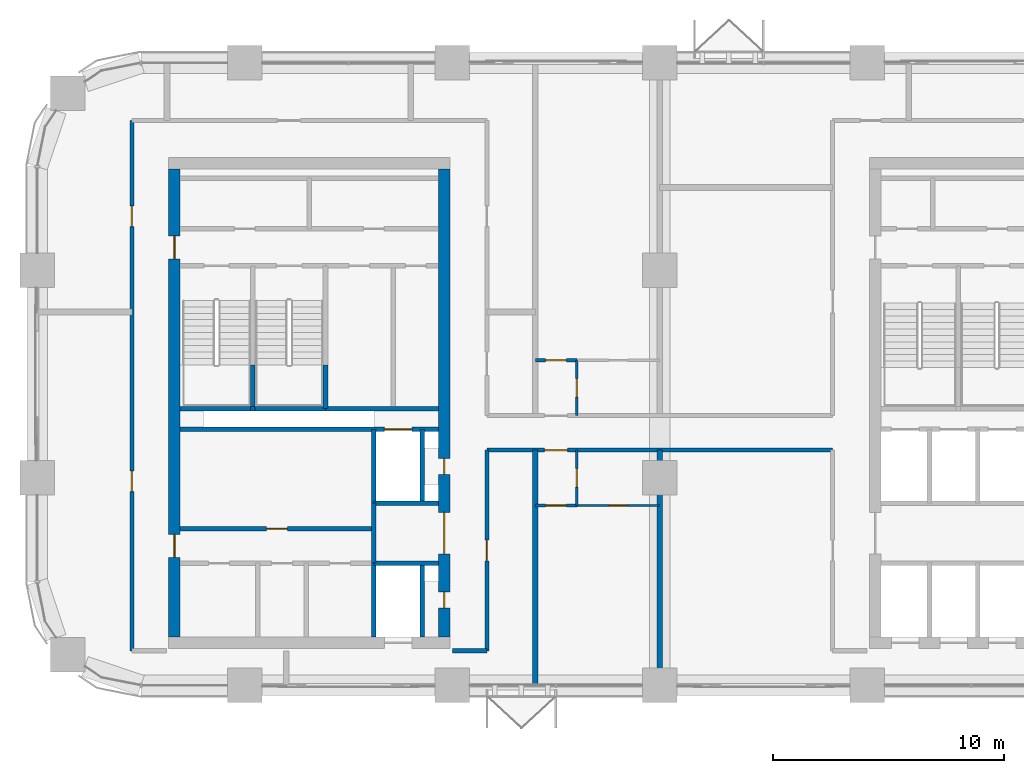
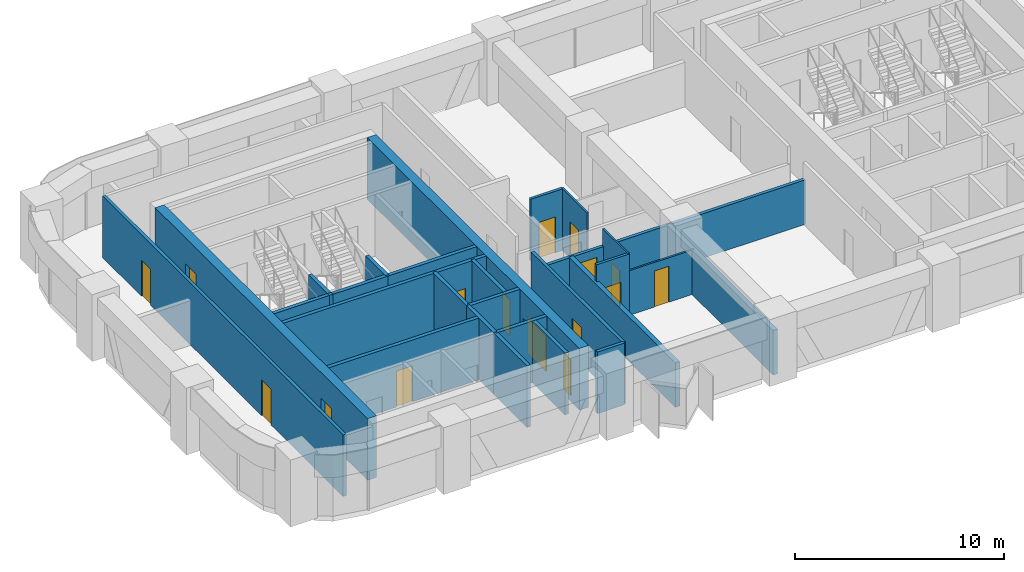
# One storey, part 8 of 13: 28 walls, 16 doors, 16 openings.
"""IFC4 building model written with IfcOpenShell, lengths in metres."""

from ifc_helpers import new_model, si_unit, direction, frame, frame_2d, origin, place, context, subcontext, project, spatial, rectangle, extrude, material, layer, layer_set, type_object, element, fill, save


model = new_model("IFC4")

# Units and contexts
model_context = context("Model", 3, precision=1e-05, world=origin(), true_north=direction((0.0, 1.0)))
body_context = subcontext(model_context, "Body", "Model", "MODEL_VIEW")
ifc_project = project(units=[si_unit("LENGTHUNIT", "METRE"), si_unit("AREAUNIT", "SQUARE_METRE"), si_unit("VOLUMEUNIT", "CUBIC_METRE"), si_unit("PLANEANGLEUNIT", "RADIAN"), si_unit("MASSUNIT", "GRAM", prefix="KILO")], contexts=[model_context])

# Site, building, storey
site_placement = place(None, origin())
site = spatial("IfcSite", under=ifc_project, at=site_placement, CompositionType="ELEMENT")
building_placement = place(site_placement, origin())
building = spatial("IfcBuilding", under=site, at=building_placement, Name="Tessera Arch", CompositionType="ELEMENT")
storey_placement = place(building_placement, frame((0.0, 0.0, 162.199951171875)))
storey = spatial("IfcBuildingStorey", under=building, at=storey_placement, Name="L38", CompositionType="ELEMENT", Elevation=162.199951171875)

# Wall
ifc_material_1 = material(Name="Gypsum board on steel stud", Category="steel")
ifc_layer_1 = layer(ifc_material_1, 0.125)
ifc_layer_set_1 = layer_set([ifc_layer_1], Name="Core partition 125 EI 60")
wall_type_1 = type_object("IfcWallType", Name="Core partition 125 EI 60", PredefinedType="PARTITIONING", material=ifc_layer_set_1)
wall_1_placement = place(storey_placement, frame((14.60009765625, 32.300048828125, 0.0), z_axis=(0.0, 0.0, 1.0), x_axis=(0.0, 1.0, 0.0)))
element("IfcWall", 1, at=wall_1_placement, inside=storey, type_object=wall_type_1, Name="L38 C2 partition wall 8", PredefinedType="PARTITIONING", context=body_context, shape_type="SweptSolid", body=[
    extrude(rectangle(XDim=2.599853515625, YDim=0.199951171875, at=frame_2d((1.2998046875, 0.0))), origin(), (0.0, 0.0, 1.0), 3.60009765625),
])

# Wall, opening, door
wall_2_placement = place(storey_placement, frame((6.199951171875, 33.800048828125, 0.0), z_axis=(0.0, 0.0, 1.0), x_axis=(1.0, 0.0, 0.0)))
wall_2 = element("IfcWall", 2, at=wall_2_placement, inside=storey, type_object=wall_type_1, Name="L38 C2 partition wall 16", PredefinedType="PARTITIONING", context=body_context, shape_type="SweptSolid", body=[
    extrude(rectangle(XDim=8.400146484375, YDim=0.199951171875, at=frame_2d((4.2001953125, 0.0))), origin(), (0.0, 0.0, 1.0), 3.60009765625),
])
opening_1_placement = place(wall_2_placement, frame((3.75, 0.0, 0.0)))
opening_1 = element("IfcOpeningElement", 3, at=opening_1_placement, cuts=wall_2, Name="Opening L38-C37", PredefinedType="OPENING", context=body_context, shape_type="SweptSolid", body=[
    extrude(rectangle(XDim=0.89990234375, YDim=2.10009765625, at=frame_2d((0.449951171875, 1.050048828125))), frame((0.0, 0.10986328125, 0.0), z_axis=(0.0, -1.0, 0.0), x_axis=(1.0, 0.0, 0.0)), (0.0, 0.0, 1.0), 0.219970703125),
])
ifc_material_2 = material(Name="Steel door leaf", Category="steel")
door_type_1 = type_object("IfcDoorType", Name="Store door FD30S 900 x 2100", OperationType="SINGLE_SWING_LEFT", PredefinedType="DOOR", material=ifc_material_2)
door_1_placement = place(opening_1_placement, origin())
door_1 = element("IfcDoor", 4, at=door_1_placement, inside=storey, type_object=door_type_1, Name="L38 C2 door 17 C37 type D09", OperationType="SINGLE_SWING_RIGHT", OverallHeight=2.10009765625, OverallWidth=0.89990234375, PredefinedType="DOOR", context=body_context, shape_type="SweptSolid", body=[
    extrude(rectangle(XDim=0.89990234375, YDim=2.10009765625, at=frame_2d((0.449951171875, 1.050048828125))), frame((0.0, 0.02490234375, 0.0), z_axis=(0.0, -1.0, 0.0), x_axis=(1.0, 0.0, 0.0)), (0.0, 0.0, 1.0), 0.050048828125),
])
fill(opening_1, door_1)

# Wall, openings, doors
ifc_material_3 = material(Name="Concrete C60/75", Category="concrete")
ifc_layer_2 = layer(ifc_material_3, 0.5)
ifc_layer_set_2 = layer_set([ifc_layer_2], Name="Core shell wall 500 C60-75")
wall_type_2 = type_object("IfcWallType", Name="Core shell wall 500 C60-75", PredefinedType="SHEAR", material=ifc_layer_set_2)
wall_3_placement = place(storey_placement, frame((5.949951171875, 29.10009765625, 0.0), z_axis=(0.0, 0.0, 1.0), x_axis=(0.0, 1.0, 0.0)))
wall_3 = element("IfcWall", 5, at=wall_3_placement, inside=storey, type_object=wall_type_2, Name="L38 C2 core wall W", PredefinedType="SHEAR", context=body_context, shape_type="SweptSolid", body=[
    extrude(rectangle(XDim=20.2998046875, YDim=0.5, at=frame_2d((10.14990234375, 0.0))), origin(), (0.0, 0.0, 1.0), 3.60009765625),
])
opening_2_placement = place(wall_3_placement, frame((3.449951171875, 0.0, 0.0)))
opening_2 = element("IfcOpeningElement", 6, at=opening_2_placement, cuts=wall_3, Name="Opening L38-C28", PredefinedType="OPENING", context=body_context, shape_type="SweptSolid", body=[
    extrude(rectangle(XDim=1.0, YDim=2.10009765625, at=frame_2d((0.5, 1.050048828125))), frame((0.0, 0.260009765625, 0.0), z_axis=(0.0, -1.0, 0.0), x_axis=(1.0, 0.0, 0.0)), (0.0, 0.0, 1.0), 0.52001953125),
])
opening_3_placement = place(wall_3_placement, frame((16.39990234375, 0.0, 0.0)))
opening_3 = element("IfcOpeningElement", 7, at=opening_3_placement, cuts=wall_3, Name="Opening L38-C29", PredefinedType="OPENING", context=body_context, shape_type="SweptSolid", body=[
    extrude(rectangle(XDim=1.0, YDim=2.10009765625, at=frame_2d((0.5, 1.050048828125))), frame((0.0, 0.260009765625, 0.0), z_axis=(0.0, -1.0, 0.0), x_axis=(1.0, 0.0, 0.0)), (0.0, 0.0, 1.0), 0.52001953125),
])
ifc_material_4 = material(Name="Steel door leaf", Category="steel")
door_type_2 = type_object("IfcDoorType", Name="Corridor door FD60 1000 x 2100", OperationType="SINGLE_SWING_LEFT", PredefinedType="DOOR", material=ifc_material_4)
door_2_placement = place(opening_2_placement, origin())
door_2 = element("IfcDoor", 8, at=door_2_placement, inside=storey, type_object=door_type_2, Name="L38 C2 door 8 C28 type D12", OperationType="SINGLE_SWING_LEFT", OverallHeight=2.10009765625, OverallWidth=1.0, PredefinedType="DOOR", context=body_context, shape_type="SweptSolid", body=[
    extrude(rectangle(XDim=1.0, YDim=2.10009765625, at=frame_2d((0.5, 1.050048828125))), frame((0.0, 0.02490234375, 0.0), z_axis=(0.0, -1.0, 0.0), x_axis=(1.0, 0.0, 0.0)), (0.0, 0.0, 1.0), 0.050048828125),
])
fill(opening_2, door_2)
door_3_placement = place(opening_3_placement, origin())
door_3 = element("IfcDoor", 9, at=door_3_placement, inside=storey, type_object=door_type_2, Name="L38 C2 door 9 C29 type D12", OperationType="SINGLE_SWING_RIGHT", OverallHeight=2.10009765625, OverallWidth=1.0, PredefinedType="DOOR", context=body_context, shape_type="SweptSolid", body=[
    extrude(rectangle(XDim=1.0, YDim=2.10009765625, at=frame_2d((0.5, 1.050048828125))), frame((0.0, 0.02490234375, 0.0), z_axis=(0.0, -1.0, 0.0), x_axis=(1.0, 0.0, 0.0)), (0.0, 0.0, 1.0), 0.050048828125),
])
fill(opening_3, door_3)

wall_4_placement = place(storey_placement, frame((17.64990234375, 29.10009765625, 0.0), z_axis=(0.0, 0.0, 1.0), x_axis=(0.0, 1.0, 0.0)))
wall_4 = element("IfcWall", 10, at=wall_4_placement, inside=storey, type_object=wall_type_2, Name="L38 C2 core wall E", PredefinedType="SHEAR", context=body_context, shape_type="SweptSolid", body=[
    extrude(rectangle(XDim=20.2998046875, YDim=0.5, at=frame_2d((10.14990234375, 0.0))), origin(), (0.0, 0.0, 1.0), 3.60009765625),
])
opening_4_placement = place(wall_4_placement, frame((1.25, 0.0, 0.0)))
opening_4 = element("IfcOpeningElement", 11, at=opening_4_placement, cuts=wall_4, Name="Opening L38-C23", PredefinedType="OPENING", context=body_context, shape_type="SweptSolid", body=[
    extrude(rectangle(XDim=0.699951171875, YDim=2.10009765625, at=frame_2d((0.35009765625, 1.050048828125))), frame((0.0, 0.260009765625, 0.0), z_axis=(0.0, -1.0, 0.0), x_axis=(1.0, 0.0, 0.0)), (0.0, 0.0, 1.0), 0.52001953125),
])
opening_5_placement = place(wall_4_placement, frame((7.050048828125, 0.0, 0.0)))
opening_5 = element("IfcOpeningElement", 12, at=opening_5_placement, cuts=wall_4, Name="Opening L38-C24", PredefinedType="OPENING", context=body_context, shape_type="SweptSolid", body=[
    extrude(rectangle(XDim=0.699951171875, YDim=2.10009765625, at=frame_2d((0.35009765625, 1.050048828125))), frame((0.0, 0.260009765625, 0.0), z_axis=(0.0, -1.0, 0.0), x_axis=(1.0, 0.0, 0.0)), (0.0, 0.0, 1.0), 0.52001953125),
])
opening_6_placement = place(wall_4_placement, frame((3.60009765625, 0.0, 0.0)))
opening_6 = element("IfcOpeningElement", 13, at=opening_6_placement, cuts=wall_4, Name="Opening L38-C27", PredefinedType="OPENING", context=body_context, shape_type="SweptSolid", body=[
    extrude(rectangle(XDim=1.800048828125, YDim=2.10009765625, at=frame_2d((0.89990234375, 1.050048828125))), frame((0.0, 0.260009765625, 0.0), z_axis=(0.0, -1.0, 0.0), x_axis=(1.0, 0.0, 0.0)), (0.0, 0.0, 1.0), 0.52001953125),
])
ifc_material_5 = material(Name="Glazed steel door leaf", Category="steel")
door_type_3 = type_object("IfcDoorType", Name="Lobby double door FD30S 1800 x 2100", OperationType="DOUBLE_DOOR_SINGLE_SWING", PredefinedType="DOOR", material=ifc_material_5)
door_4_placement = place(opening_6_placement, origin())
door_4 = element("IfcDoor", 14, at=door_4_placement, inside=storey, type_object=door_type_3, Name="L38 C2 door 7 C27 type D06", OperationType="DOUBLE_DOOR_SINGLE_SWING", OverallHeight=2.10009765625, OverallWidth=1.800048828125, PredefinedType="DOOR", context=body_context, shape_type="SweptSolid", body=[
    extrude(rectangle(XDim=1.800048828125, YDim=2.10009765625, at=frame_2d((0.89990234375, 1.050048828125))), frame((0.0, 0.02490234375, 0.0), z_axis=(0.0, -1.0, 0.0), x_axis=(1.0, 0.0, 0.0)), (0.0, 0.0, 1.0), 0.050048828125),
])
fill(opening_6, door_4)
ifc_material_6 = material(Name="Steel door leaf", Category="steel")
door_type_4 = type_object("IfcDoorType", Name="Service shaft door FD60 700 x 2100", OperationType="SINGLE_SWING_LEFT", PredefinedType="DOOR", material=ifc_material_6)
door_5_placement = place(opening_4_placement, origin())
door_5 = element("IfcDoor", 15, at=door_5_placement, inside=storey, type_object=door_type_4, Name="L38 C2 door 3 C23 type D07", OperationType="SINGLE_SWING_LEFT", OverallHeight=2.10009765625, OverallWidth=0.699951171875, PredefinedType="DOOR", context=body_context, shape_type="SweptSolid", body=[
    extrude(rectangle(XDim=0.699951171875, YDim=2.10009765625, at=frame_2d((0.35009765625, 1.050048828125))), frame((0.0, 0.02490234375, 0.0), z_axis=(0.0, -1.0, 0.0), x_axis=(1.0, 0.0, 0.0)), (0.0, 0.0, 1.0), 0.050048828125),
])
fill(opening_4, door_5)
door_6_placement = place(opening_5_placement, origin())
door_6 = element("IfcDoor", 16, at=door_6_placement, inside=storey, type_object=door_type_4, Name="L38 C2 door 4 C24 type D07", OperationType="SINGLE_SWING_LEFT", OverallHeight=2.10009765625, OverallWidth=0.699951171875, PredefinedType="DOOR", context=body_context, shape_type="SweptSolid", body=[
    extrude(rectangle(XDim=0.699951171875, YDim=2.10009765625, at=frame_2d((0.35009765625, 1.050048828125))), frame((0.0, 0.02490234375, 0.0), z_axis=(0.0, -1.0, 0.0), x_axis=(1.0, 0.0, 0.0)), (0.0, 0.0, 1.0), 0.050048828125),
])
fill(opening_5, door_6)

# Wall
ifc_material_7 = material(Name="Gypsum board on deep steel stud with mineral wool", Category="steel")
ifc_layer_3 = layer(ifc_material_7, 0.175048828125)
ifc_layer_set_3 = layer_set([ifc_layer_3], Name="Corridor wall 175 EI 60")
wall_type_3 = type_object("IfcWallType", Name="Corridor wall 175 EI 60", PredefinedType="PARTITIONING", material=ifc_layer_set_3)
wall_5_placement = place(storey_placement, frame((18.0, 28.5, 0.0), z_axis=(0.0, 0.0, 1.0), x_axis=(1.0, 0.0, 0.0)))
element("IfcWall", 17, at=wall_5_placement, inside=storey, type_object=wall_type_3, Name="L38 partition 2", PredefinedType="PARTITIONING", context=body_context, shape_type="SweptSolid", body=[
    extrude(rectangle(XDim=1.5, YDim=0.175048828125, at=frame_2d((0.75, 0.0))), origin(), (0.0, 0.0, 1.0), 3.60009765625),
])

# Wall, opening, door
wall_6_placement = place(storey_placement, frame((19.5, 37.199951171875, 0.0), z_axis=(0.0, 0.0, 1.0), x_axis=(1.0, 0.0, 0.0)))
wall_6 = element("IfcWall", 18, at=wall_6_placement, inside=storey, type_object=wall_type_3, Name="L38 partition 5", PredefinedType="PARTITIONING", context=body_context, shape_type="SweptSolid", body=[
    extrude(rectangle(XDim=15.0, YDim=0.175048828125, at=frame_2d((7.5, 0.0))), origin(), (0.0, 0.0, 1.0), 2.60009765625),
])
opening_7_placement = place(wall_6_placement, frame((2.5, 0.0, 0.0)))
opening_7 = element("IfcOpeningElement", 19, at=opening_7_placement, cuts=wall_6, Name="Opening L38-D003", PredefinedType="OPENING", context=body_context, shape_type="SweptSolid", body=[
    extrude(rectangle(XDim=1.0, YDim=2.10009765625, at=frame_2d((0.5, 1.050048828125))), frame((0.0, 0.097412109375, 0.0), z_axis=(0.0, -1.0, 0.0), x_axis=(1.0, 0.0, 0.0)), (0.0, 0.0, 1.0), 0.195068359375),
])
ifc_material_8 = material(Name="Fire-rated door leaf")
door_type_5 = type_object("IfcDoorType", Name="Entrance door FD30S 1000 x 2100", OperationType="SINGLE_SWING_LEFT", PredefinedType="DOOR", material=ifc_material_8)
door_7_placement = place(opening_7_placement, origin())
door_7 = element("IfcDoor", 20, at=door_7_placement, inside=storey, type_object=door_type_5, Name="L38 door D003 type D03", OperationType="SINGLE_SWING_RIGHT", OverallHeight=2.10009765625, OverallWidth=1.0, PredefinedType="DOOR", context=body_context, shape_type="SweptSolid", body=[
    extrude(rectangle(XDim=1.0, YDim=2.10009765625, at=frame_2d((0.5, 1.050048828125))), frame((0.0, 0.02490234375, 0.0), z_axis=(0.0, -1.0, 0.0), x_axis=(1.0, 0.0, 0.0)), (0.0, 0.0, 1.0), 0.050048828125),
])
fill(opening_7, door_7)

# Wall, openings, doors
wall_7_placement = place(storey_placement, frame((4.10009765625, 28.5, 0.0), z_axis=(0.0, 0.0, 1.0), x_axis=(0.0, 1.0, 0.0)))
wall_7 = element("IfcWall", 21, at=wall_7_placement, inside=storey, type_object=wall_type_3, Name="L38 partition 9", PredefinedType="PARTITIONING", context=body_context, shape_type="SweptSolid", body=[
    extrude(rectangle(XDim=23.0, YDim=0.175048828125, at=frame_2d((11.5, 0.0))), origin(), (0.0, 0.0, 1.0), 3.60009765625),
])
opening_8_placement = place(wall_7_placement, frame((6.89990234375, 0.0, 0.0)))
opening_8 = element("IfcOpeningElement", 22, at=opening_8_placement, cuts=wall_7, Name="Opening L38-D007", PredefinedType="OPENING", context=body_context, shape_type="SweptSolid", body=[
    extrude(rectangle(XDim=0.89990234375, YDim=2.10009765625, at=frame_2d((0.449951171875, 1.050048828125))), frame((0.0, 0.097412109375, 0.0), z_axis=(0.0, -1.0, 0.0), x_axis=(1.0, 0.0, 0.0)), (0.0, 0.0, 1.0), 0.195068359375),
])
opening_9_placement = place(wall_7_placement, frame((18.39990234375, 0.0, 0.0)))
opening_9 = element("IfcOpeningElement", 23, at=opening_9_placement, cuts=wall_7, Name="Opening L38-D016", PredefinedType="OPENING", context=body_context, shape_type="SweptSolid", body=[
    extrude(rectangle(XDim=0.89990234375, YDim=2.10009765625, at=frame_2d((0.449951171875, 1.050048828125))), frame((0.0, 0.097412109375, 0.0), z_axis=(0.0, -1.0, 0.0), x_axis=(1.0, 0.0, 0.0)), (0.0, 0.0, 1.0), 0.195068359375),
])
ifc_material_9 = material(Name="Timber door leaf", Category="wood")
door_type_6 = type_object("IfcDoorType", Name="Room door 900 x 2100", OperationType="SINGLE_SWING_LEFT", PredefinedType="DOOR", material=ifc_material_9)
door_8_placement = place(opening_8_placement, origin())
door_8 = element("IfcDoor", 24, at=door_8_placement, inside=storey, type_object=door_type_6, Name="L38 door D007 type D01", OperationType="SINGLE_SWING_RIGHT", OverallHeight=2.10009765625, OverallWidth=0.89990234375, PredefinedType="DOOR", context=body_context, shape_type="SweptSolid", body=[
    extrude(rectangle(XDim=0.89990234375, YDim=2.10009765625, at=frame_2d((0.449951171875, 1.050048828125))), frame((0.0, 0.02490234375, 0.0), z_axis=(0.0, -1.0, 0.0), x_axis=(1.0, 0.0, 0.0)), (0.0, 0.0, 1.0), 0.050048828125),
])
fill(opening_8, door_8)
door_9_placement = place(opening_9_placement, origin())
door_9 = element("IfcDoor", 25, at=door_9_placement, inside=storey, type_object=door_type_6, Name="L38 door D016 type D01", OperationType="SINGLE_SWING_RIGHT", OverallHeight=2.10009765625, OverallWidth=0.89990234375, PredefinedType="DOOR", context=body_context, shape_type="SweptSolid", body=[
    extrude(rectangle(XDim=0.89990234375, YDim=2.10009765625, at=frame_2d((0.449951171875, 1.050048828125))), frame((0.0, 0.02490234375, 0.0), z_axis=(0.0, -1.0, 0.0), x_axis=(1.0, 0.0, 0.0)), (0.0, 0.0, 1.0), 0.050048828125),
])
fill(opening_9, door_9)

# Wall, opening, door
wall_8_placement = place(storey_placement, frame((19.5, 28.5, 0.0), z_axis=(0.0, 0.0, 1.0), x_axis=(0.0, 1.0, 0.0)))
wall_8 = element("IfcWall", 26, at=wall_8_placement, inside=storey, type_object=wall_type_3, Name="L38 partition 10", PredefinedType="PARTITIONING", context=body_context, shape_type="SweptSolid", body=[
    extrude(rectangle(XDim=8.699951171875, YDim=0.175048828125, at=frame_2d((4.35009765625, 0.0))), origin(), (0.0, 0.0, 1.0), 3.60009765625),
])
opening_10_placement = place(wall_8_placement, frame((3.89990234375, 0.0, 0.0)))
opening_10 = element("IfcOpeningElement", 27, at=opening_10_placement, cuts=wall_8, Name="Opening L38-D001", PredefinedType="OPENING", context=body_context, shape_type="SweptSolid", body=[
    extrude(rectangle(XDim=0.89990234375, YDim=2.10009765625, at=frame_2d((0.449951171875, 1.050048828125))), frame((0.0, 0.097412109375, 0.0), z_axis=(0.0, -1.0, 0.0), x_axis=(1.0, 0.0, 0.0)), (0.0, 0.0, 1.0), 0.195068359375),
])
door_10_placement = place(opening_10_placement, origin())
door_10 = element("IfcDoor", 28, at=door_10_placement, inside=storey, type_object=door_type_6, Name="L38 door D001 type D01", OperationType="SINGLE_SWING_RIGHT", OverallHeight=2.10009765625, OverallWidth=0.89990234375, PredefinedType="DOOR", context=body_context, shape_type="SweptSolid", body=[
    extrude(rectangle(XDim=0.89990234375, YDim=2.10009765625, at=frame_2d((0.449951171875, 1.050048828125))), frame((0.0, 0.02490234375, 0.0), z_axis=(0.0, -1.0, 0.0), x_axis=(1.0, 0.0, 0.0)), (0.0, 0.0, 1.0), 0.050048828125),
])
fill(opening_10, door_10)

ifc_material_10 = material(Name="Gypsum board on steel stud", Category="steel")
ifc_layer_4 = layer(ifc_material_10, 0.14990234375)
ifc_layer_set_4 = layer_set([ifc_layer_4], Name="Partition 150")
wall_type_4 = type_object("IfcWallType", Name="Partition 150", PredefinedType="PARTITIONING", material=ifc_layer_set_4)
wall_9_placement = place(storey_placement, frame((21.60009765625, 34.800048828125, 0.0), z_axis=(0.0, 0.0, 1.0), x_axis=(1.0, 0.0, 0.0)))
wall_9 = element("IfcWall", 29, at=wall_9_placement, inside=storey, type_object=wall_type_4, Name="L38 partition 15", PredefinedType="PARTITIONING", context=body_context, shape_type="SweptSolid", body=[
    extrude(rectangle(XDim=1.7998046875, YDim=0.14990234375, at=frame_2d((0.89990234375, 0.0))), origin(), (0.0, 0.0, 1.0), 3.60009765625),
])
opening_11_placement = place(wall_9_placement, frame((0.449951171875, 0.0, 0.0)))
opening_11 = element("IfcOpeningElement", 30, at=opening_11_placement, cuts=wall_9, Name="Opening L38-D004", PredefinedType="OPENING", context=body_context, shape_type="SweptSolid", body=[
    extrude(rectangle(XDim=0.89990234375, YDim=2.10009765625, at=frame_2d((0.449951171875, 1.050048828125))), frame((0.0, 0.0849609375, 0.0), z_axis=(0.0, -1.0, 0.0), x_axis=(1.0, 0.0, 0.0)), (0.0, 0.0, 1.0), 0.169921875),
])
door_11_placement = place(opening_11_placement, origin())
door_11 = element("IfcDoor", 31, at=door_11_placement, inside=storey, type_object=door_type_6, Name="L38 door D004 type D01", OperationType="SINGLE_SWING_LEFT", OverallHeight=2.10009765625, OverallWidth=0.89990234375, PredefinedType="DOOR", context=body_context, shape_type="SweptSolid", body=[
    extrude(rectangle(XDim=0.89990234375, YDim=2.10009765625, at=frame_2d((0.449951171875, 1.050048828125))), frame((0.0, 0.02490234375, 0.0), z_axis=(0.0, -1.0, 0.0), x_axis=(1.0, 0.0, 0.0)), (0.0, 0.0, 1.0), 0.050048828125),
])
fill(opening_11, door_11)

wall_10_placement = place(storey_placement, frame((21.60009765625, 41.10009765625, 0.0), z_axis=(0.0, 0.0, 1.0), x_axis=(1.0, 0.0, 0.0)))
wall_10 = element("IfcWall", 32, at=wall_10_placement, inside=storey, type_object=wall_type_4, Name="L38 partition 16", PredefinedType="PARTITIONING", context=body_context, shape_type="SweptSolid", body=[
    extrude(rectangle(XDim=1.7998046875, YDim=0.14990234375, at=frame_2d((0.89990234375, 0.0))), origin(), (0.0, 0.0, 1.0), 3.60009765625),
])
opening_12_placement = place(wall_10_placement, frame((0.449951171875, 0.0, 0.0)))
opening_12 = element("IfcOpeningElement", 33, at=opening_12_placement, cuts=wall_10, Name="Opening L38-D012", PredefinedType="OPENING", context=body_context, shape_type="SweptSolid", body=[
    extrude(rectangle(XDim=0.89990234375, YDim=2.10009765625, at=frame_2d((0.449951171875, 1.050048828125))), frame((0.0, 0.0849609375, 0.0), z_axis=(0.0, -1.0, 0.0), x_axis=(1.0, 0.0, 0.0)), (0.0, 0.0, 1.0), 0.169921875),
])
door_12_placement = place(opening_12_placement, origin())
door_12 = element("IfcDoor", 34, at=door_12_placement, inside=storey, type_object=door_type_6, Name="L38 door D012 type D01", OperationType="SINGLE_SWING_LEFT", OverallHeight=2.10009765625, OverallWidth=0.89990234375, PredefinedType="DOOR", context=body_context, shape_type="SweptSolid", body=[
    extrude(rectangle(XDim=0.89990234375, YDim=2.10009765625, at=frame_2d((0.449951171875, 1.050048828125))), frame((0.0, 0.02490234375, 0.0), z_axis=(0.0, -1.0, 0.0), x_axis=(1.0, 0.0, 0.0)), (0.0, 0.0, 1.0), 0.050048828125),
])
fill(opening_12, door_12)

# Walls
ifc_material_11 = material(Name="Double gypsum board on twin steel stud with acoustic mineral wool", Category="steel")
ifc_layer_5 = layer(ifc_material_11, 0.25)
ifc_layer_set_5 = layer_set([ifc_layer_5], Name="Party wall 250 EI 60")
wall_type_5 = type_object("IfcWallType", Name="Party wall 250 EI 60", PredefinedType="PARTITIONING", material=ifc_layer_set_5)
for number, where, z_axis, x_axis, name in (
    (35, (21.60009765625, 27.0, 0.0), (0.0, 0.0, 1.0), (0.0, 1.0, 0.0), "L38 partition 24"),
    (36, (27.0, 27.0, 0.0), (0.0, 0.0, 1.0), (0.0, 1.0, 0.0), "L38 partition 26"),
):
    element("IfcWall", number, at=place(storey_placement, frame(where, z_axis=z_axis, x_axis=x_axis)), inside=storey, type_object=wall_type_5, Name=name, PredefinedType="PARTITIONING", context=body_context, shape_type="SweptSolid", body=[
        extrude(rectangle(XDim=10.199951171875, YDim=0.25, at=frame_2d((5.10009765625, 0.0))), origin(), (0.0, 0.0, 1.0), 2.60009765625),
    ])
ifc_material_12 = material(Name="Concrete C40/50", Category="concrete")
ifc_layer_6 = layer(ifc_material_12, 0.199951171875)
ifc_layer_set_6 = layer_set([ifc_layer_6], Name="Shaft wall 200 EI 120")
wall_type_6 = type_object("IfcWallType", Name="Shaft wall 200 EI 120", PredefinedType="SOLIDWALL", material=ifc_layer_set_6)
wall_11_placement = place(storey_placement, frame((14.60009765625, 29.10009765625, 0.0), z_axis=(0.0, 0.0, 1.0), x_axis=(0.0, 1.0, 0.0)))
element("IfcWall", 37, at=wall_11_placement, inside=storey, type_object=wall_type_6, Name="L38 C2 shaft wall 9", PredefinedType="SOLIDWALL", context=body_context, shape_type="SweptSolid", body=[
    extrude(rectangle(XDim=3.199951171875, YDim=0.199951171875, at=frame_2d((1.60009765625, 0.0))), origin(), (0.0, 0.0, 1.0), 3.60009765625),
])
wall_12_placement = place(storey_placement, frame((14.60009765625, 34.89990234375, 0.0), z_axis=(0.0, 0.0, 1.0), x_axis=(0.0, 1.0, 0.0)))
element("IfcWall", 38, at=wall_12_placement, inside=storey, type_object=wall_type_6, Name="L38 C2 shaft wall 10", PredefinedType="SOLIDWALL", context=body_context, shape_type="SweptSolid", body=[
    extrude(rectangle(XDim=3.2001953125, YDim=0.199951171875, at=frame_2d((1.60009765625, 0.0))), origin(), (0.0, 0.0, 1.0), 3.60009765625),
])
wall_13_placement = place(storey_placement, frame((16.699951171875, 29.10009765625, 0.0), z_axis=(0.0, 0.0, 1.0), x_axis=(0.0, 1.0, 0.0)))
element("IfcWall", 39, at=wall_13_placement, inside=storey, type_object=wall_type_6, Name="L38 C2 shaft wall 12", PredefinedType="SOLIDWALL", context=body_context, shape_type="SweptSolid", body=[
    extrude(rectangle(XDim=3.199951171875, YDim=0.199951171875, at=frame_2d((1.60009765625, 0.0))), origin(), (0.0, 0.0, 1.0), 3.60009765625),
])
wall_14_placement = place(storey_placement, frame((16.699951171875, 34.89990234375, 0.0), z_axis=(0.0, 0.0, 1.0), x_axis=(0.0, 1.0, 0.0)))
element("IfcWall", 40, at=wall_14_placement, inside=storey, type_object=wall_type_6, Name="L38 C2 shaft wall 13", PredefinedType="SOLIDWALL", context=body_context, shape_type="SweptSolid", body=[
    extrude(rectangle(XDim=3.2001953125, YDim=0.199951171875, at=frame_2d((1.60009765625, 0.0))), origin(), (0.0, 0.0, 1.0), 3.60009765625),
])
for number, where, z_axis, x_axis, name in (
    (41, (14.60009765625, 32.300048828125, 0.0), (0.0, 0.0, 1.0), (1.0, 0.0, 0.0), "L38 C2 shaft wall 15"),
    (42, (14.60009765625, 34.89990234375, 0.0), (0.0, 0.0, 1.0), (1.0, 0.0, 0.0), "L38 C2 shaft wall 17"),
):
    element("IfcWall", number, at=place(storey_placement, frame(where, z_axis=z_axis, x_axis=x_axis)), inside=storey, type_object=wall_type_6, Name=name, PredefinedType="SOLIDWALL", context=body_context, shape_type="SweptSolid", body=[
        extrude(rectangle(XDim=2.7998046875, YDim=0.199951171875, at=frame_2d((1.39990234375, 0.0))), origin(), (0.0, 0.0, 1.0), 3.60009765625),
    ])

# Wall, opening, door
wall_15_placement = place(storey_placement, frame((6.199951171875, 38.10009765625, 0.0), z_axis=(0.0, 0.0, 1.0), x_axis=(1.0, 0.0, 0.0)))
wall_15 = element("IfcWall", 43, at=wall_15_placement, inside=storey, type_object=wall_type_6, Name="L38 C2 shaft wall 18", PredefinedType="SOLIDWALL", context=body_context, shape_type="SweptSolid", body=[
    extrude(rectangle(XDim=11.199951171875, YDim=0.199951171875, at=frame_2d((5.60009765625, 0.0))), origin(), (0.0, 0.0, 1.0), 3.60009765625),
])
opening_13_placement = place(wall_15_placement, frame((8.85009765625, 0.0, 0.0)))
opening_13 = element("IfcOpeningElement", 44, at=opening_13_placement, cuts=wall_15, Name="Opening L38-C22", PredefinedType="OPENING", context=body_context, shape_type="SweptSolid", body=[
    extrude(rectangle(XDim=1.199951171875, YDim=2.10009765625, at=frame_2d((0.60009765625, 1.050048828125))), frame((0.0, 0.10986328125, 0.0), z_axis=(0.0, -1.0, 0.0), x_axis=(1.0, 0.0, 0.0)), (0.0, 0.0, 1.0), 0.219970703125),
])
ifc_material_13 = material(Name="Stainless steel AISI 304", Category="steel")
door_type_7 = type_object("IfcDoorType", Name="Sliding landing door 1200 x 2100", OperationType="SLIDING_TO_LEFT", PredefinedType="DOOR", material=ifc_material_13)
door_13_placement = place(opening_13_placement, origin())
door_13 = element("IfcDoor", 45, at=door_13_placement, inside=storey, type_object=door_type_7, Name="L38 HR8 lift landing door C22 type LD", OperationType="SLIDING_TO_LEFT", OverallHeight=2.10009765625, OverallWidth=1.199951171875, PredefinedType="DOOR", context=body_context, shape_type="SweptSolid", body=[
    extrude(rectangle(XDim=1.199951171875, YDim=2.10009765625, at=frame_2d((0.60009765625, 1.050048828125))), frame((0.0, 0.02490234375, 0.0), z_axis=(0.0, -1.0, 0.0), x_axis=(1.0, 0.0, 0.0)), (0.0, 0.0, 1.0), 0.050048828125),
])
fill(opening_13, door_13)

# Walls
wall_16_placement = place(storey_placement, frame((12.5, 39.0, 0.0), z_axis=(0.0, 0.0, 1.0), x_axis=(1.0, 0.0, 0.0)))
element("IfcWall", 46, at=wall_16_placement, inside=storey, type_object=wall_type_6, Name="L38 C2 shaft wall 19", PredefinedType="SOLIDWALL", context=body_context, shape_type="SweptSolid", body=[
    extrude(rectangle(XDim=4.89990234375, YDim=0.199951171875, at=frame_2d((2.449951171875, 0.0))), origin(), (0.0, 0.0, 1.0), 3.60009765625),
])
ifc_material_14 = material(Name="Concrete C40/50", Category="concrete")
ifc_layer_7 = layer(ifc_material_14, 0.199951171875)
ifc_layer_set_7 = layer_set([ifc_layer_7], Name="Stair well wall 200 REI 180")
wall_type_7 = type_object("IfcWallType", Name="Stair well wall 200 REI 180", PredefinedType="SOLIDWALL", material=ifc_layer_set_7)
for number, where, z_axis, x_axis, name in (
    (47, (9.35009765625, 39.0, 0.0), (0.0, 0.0, 1.0), (0.0, 1.0, 0.0), "L38 C2 shaft wall 1"),
    (48, (12.5, 39.0, 0.0), (0.0, 0.0, 1.0), (0.0, 1.0, 0.0), "L38 C2 shaft wall 6"),
):
    element("IfcWall", number, at=place(storey_placement, frame(where, z_axis=z_axis, x_axis=x_axis)), inside=storey, type_object=wall_type_7, Name=name, PredefinedType="SOLIDWALL", context=body_context, shape_type="SweptSolid", body=[
        extrude(rectangle(XDim=1.89990234375, YDim=0.199951171875, at=frame_2d((0.949951171875, 0.0))), origin(), (0.0, 0.0, 1.0), 3.60009765625),
    ])
wall_17_placement = place(storey_placement, frame((6.199951171875, 39.0, 0.0), z_axis=(0.0, 0.0, 1.0), x_axis=(1.0, 0.0, 0.0)))
element("IfcWall", 49, at=wall_17_placement, inside=storey, type_object=wall_type_7, Name="L38 C2 shaft wall 20", PredefinedType="SOLIDWALL", context=body_context, shape_type="SweptSolid", body=[
    extrude(rectangle(XDim=3.050048828125, YDim=0.199951171875, at=frame_2d((1.52490234375, 0.0))), origin(), (0.0, 0.0, 1.0), 3.60009765625),
])
wall_18_placement = place(storey_placement, frame((9.25, 39.0, 0.0), z_axis=(0.0, 0.0, 1.0), x_axis=(1.0, 0.0, 0.0)))
element("IfcWall", 50, at=wall_18_placement, inside=storey, type_object=wall_type_7, Name="L38 C2 shaft wall 21", PredefinedType="SOLIDWALL", context=body_context, shape_type="SweptSolid", body=[
    extrude(rectangle(XDim=0.199951171875, YDim=0.199951171875, at=frame_2d((0.10009765625, 0.0))), origin(), (0.0, 0.0, 1.0), 3.60009765625),
])
wall_19_placement = place(storey_placement, frame((9.449951171875, 39.0, 0.0), z_axis=(0.0, 0.0, 1.0), x_axis=(1.0, 0.0, 0.0)))
element("IfcWall", 51, at=wall_19_placement, inside=storey, type_object=wall_type_7, Name="L38 C2 shaft wall 22", PredefinedType="SOLIDWALL", context=body_context, shape_type="SweptSolid", body=[
    extrude(rectangle(XDim=3.050048828125, YDim=0.199951171875, at=frame_2d((1.52490234375, 0.0))), origin(), (0.0, 0.0, 1.0), 3.60009765625),
])

# Wall, opening, door
ifc_material_15 = material(Name="Moisture-resistant board on pre-plumbed steel stud", Category="steel")
ifc_layer_8 = layer(ifc_material_15, 0.10009765625)
ifc_layer_set_8 = layer_set([ifc_layer_8], Name="Wet wall 100")
wall_type_8 = type_object("IfcWallType", Name="Wet wall 100", PredefinedType="PARTITIONING", material=ifc_layer_set_8)
wall_20_placement = place(storey_placement, frame((23.39990234375, 34.800048828125, 0.0), z_axis=(0.0, 0.0, 1.0), x_axis=(1.0, 0.0, 0.0)))
wall_20 = element("IfcWall", 52, at=wall_20_placement, inside=storey, type_object=wall_type_8, Name="L38 partition 31", PredefinedType="PARTITIONING", context=body_context, shape_type="SweptSolid", body=[
    extrude(rectangle(XDim=3.60009765625, YDim=0.10009765625, at=frame_2d((1.800048828125, 0.0))), origin(), (0.0, 0.0, 1.0), 2.60009765625),
])
opening_14_placement = place(wall_20_placement, frame((1.39990234375, 0.0, 0.0)))
opening_14 = element("IfcOpeningElement", 53, at=opening_14_placement, cuts=wall_20, Name="Opening L38-D006", PredefinedType="OPENING", context=body_context, shape_type="SweptSolid", body=[
    extrude(rectangle(XDim=0.800048828125, YDim=2.10009765625, at=frame_2d((0.39990234375, 1.050048828125))), frame((0.0, 0.06005859375, 0.0), z_axis=(0.0, -1.0, 0.0), x_axis=(1.0, 0.0, 0.0)), (0.0, 0.0, 1.0), 0.1201171875),
])
ifc_material_16 = material(Name="Timber door leaf", Category="wood")
door_type_8 = type_object("IfcDoorType", Name="En-suite door 800 x 2100", OperationType="SINGLE_SWING_LEFT", PredefinedType="DOOR", material=ifc_material_16)
door_14_placement = place(opening_14_placement, origin())
door_14 = element("IfcDoor", 54, at=door_14_placement, inside=storey, type_object=door_type_8, Name="L38 door D006 type D02", OperationType="SINGLE_SWING_RIGHT", OverallHeight=2.10009765625, OverallWidth=0.800048828125, PredefinedType="DOOR", context=body_context, shape_type="SweptSolid", body=[
    extrude(rectangle(XDim=0.800048828125, YDim=2.10009765625, at=frame_2d((0.39990234375, 1.050048828125))), frame((0.0, 0.02490234375, 0.0), z_axis=(0.0, -1.0, 0.0), x_axis=(1.0, 0.0, 0.0)), (0.0, 0.0, 1.0), 0.050048828125),
])
fill(opening_14, door_14)

wall_21_placement = place(storey_placement, frame((23.39990234375, 34.800048828125, 0.0), z_axis=(0.0, 0.0, 1.0), x_axis=(0.0, 1.0, 0.0)))
wall_21 = element("IfcWall", 55, at=wall_21_placement, inside=storey, type_object=wall_type_8, Name="L38 partition 33", PredefinedType="PARTITIONING", context=body_context, shape_type="SweptSolid", body=[
    extrude(rectangle(XDim=2.39990234375, YDim=0.10009765625, at=frame_2d((1.199951171875, 0.0))), origin(), (0.0, 0.0, 1.0), 3.60009765625),
])
opening_15_placement = place(wall_21_placement, frame((0.800048828125, 0.0, 0.0)))
opening_15 = element("IfcOpeningElement", 56, at=opening_15_placement, cuts=wall_21, Name="Opening L38-D005", PredefinedType="OPENING", context=body_context, shape_type="SweptSolid", body=[
    extrude(rectangle(XDim=0.800048828125, YDim=2.10009765625, at=frame_2d((0.39990234375, 1.050048828125))), frame((0.0, 0.06005859375, 0.0), z_axis=(0.0, -1.0, 0.0), x_axis=(1.0, 0.0, 0.0)), (0.0, 0.0, 1.0), 0.1201171875),
])
door_15_placement = place(opening_15_placement, origin())
door_15 = element("IfcDoor", 57, at=door_15_placement, inside=storey, type_object=door_type_8, Name="L38 door D005 type D02", OperationType="SINGLE_SWING_RIGHT", OverallHeight=2.10009765625, OverallWidth=0.800048828125, PredefinedType="DOOR", context=body_context, shape_type="SweptSolid", body=[
    extrude(rectangle(XDim=0.800048828125, YDim=2.10009765625, at=frame_2d((0.39990234375, 1.050048828125))), frame((0.0, 0.02490234375, 0.0), z_axis=(0.0, -1.0, 0.0), x_axis=(1.0, 0.0, 0.0)), (0.0, 0.0, 1.0), 0.050048828125),
])
fill(opening_15, door_15)

wall_22_placement = place(storey_placement, frame((23.39990234375, 38.699951171875, 0.0), z_axis=(0.0, 0.0, 1.0), x_axis=(0.0, 1.0, 0.0)))
wall_22 = element("IfcWall", 58, at=wall_22_placement, inside=storey, type_object=wall_type_8, Name="L38 partition 34", PredefinedType="PARTITIONING", context=body_context, shape_type="SweptSolid", body=[
    extrude(rectangle(XDim=2.400146484375, YDim=0.10009765625, at=frame_2d((1.2001953125, 0.0))), origin(), (0.0, 0.0, 1.0), 3.60009765625),
])
opening_16_placement = place(wall_22_placement, frame((0.800048828125, 0.0, 0.0)))
opening_16 = element("IfcOpeningElement", 59, at=opening_16_placement, cuts=wall_22, Name="Opening L38-D013", PredefinedType="OPENING", context=body_context, shape_type="SweptSolid", body=[
    extrude(rectangle(XDim=0.800048828125, YDim=2.10009765625, at=frame_2d((0.39990234375, 1.050048828125))), frame((0.0, 0.06005859375, 0.0), z_axis=(0.0, -1.0, 0.0), x_axis=(1.0, 0.0, 0.0)), (0.0, 0.0, 1.0), 0.1201171875),
])
door_16_placement = place(opening_16_placement, origin())
door_16 = element("IfcDoor", 60, at=door_16_placement, inside=storey, type_object=door_type_8, Name="L38 door D013 type D02", OperationType="SINGLE_SWING_LEFT", OverallHeight=2.10009765625, OverallWidth=0.800048828125, PredefinedType="DOOR", context=body_context, shape_type="SweptSolid", body=[
    extrude(rectangle(XDim=0.800048828125, YDim=2.10009765625, at=frame_2d((0.39990234375, 1.050048828125))), frame((0.0, 0.02490234375, 0.0), z_axis=(0.0, -1.0, 0.0), x_axis=(1.0, 0.0, 0.0)), (0.0, 0.0, 1.0), 0.050048828125),
])
fill(opening_16, door_16)

save(model, "model.ifc")
